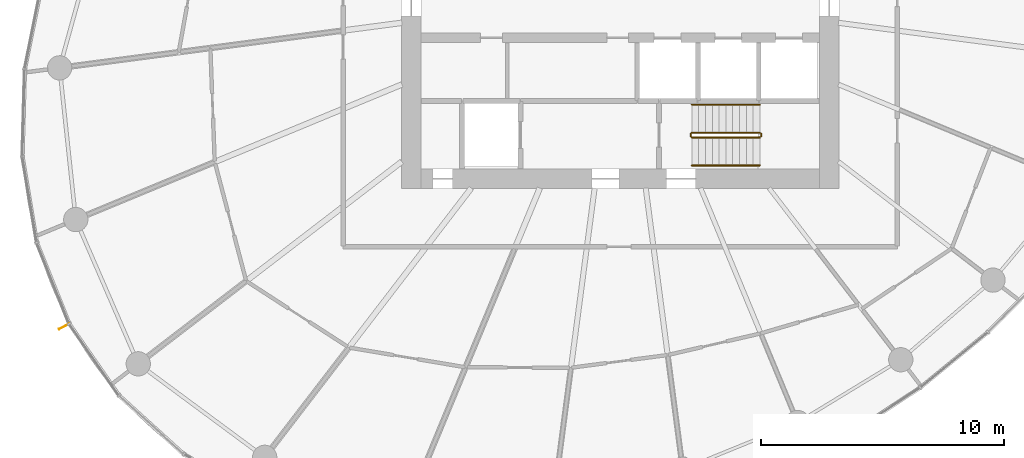
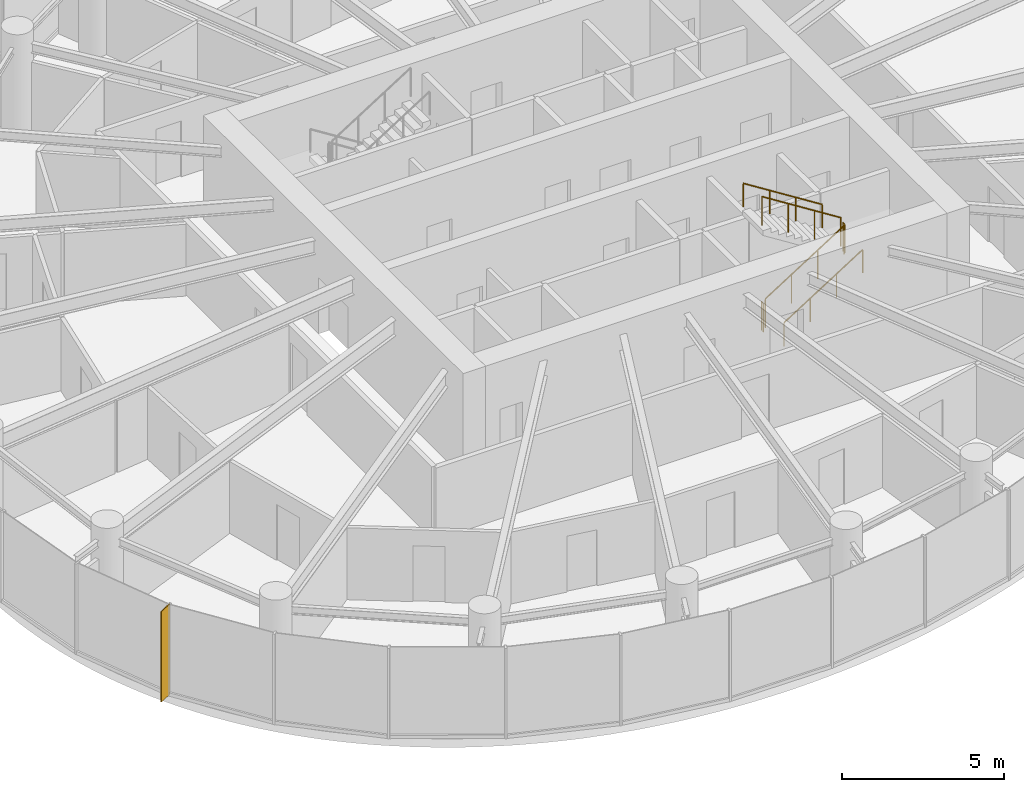
# One storey, part 13 of 15: 6 railings, 1 shading device.
"""IFC4 building model written with IfcOpenShell, lengths in metres."""

from ifc_helpers import new_model, si_unit, direction, frame, origin, origin_2d, place, context, subcontext, project, spatial, rectangle, circle, extrude, source, transform, mapped, material, material_profile, profile_set, type_object, element, save


model = new_model("IFC4")

# Units and contexts
model_context = context("Model", 3, precision=1e-05, world=origin(), true_north=direction((0.0, 1.0)))
body_context = subcontext(model_context, "Body", "Model", "MODEL_VIEW")
ifc_project = project(units=[si_unit("LENGTHUNIT", "METRE"), si_unit("AREAUNIT", "SQUARE_METRE"), si_unit("VOLUMEUNIT", "CUBIC_METRE"), si_unit("PLANEANGLEUNIT", "RADIAN"), si_unit("MASSUNIT", "GRAM", prefix="KILO")], contexts=[model_context])

# Site, building, storey
site_placement = place(None, origin())
site = spatial("IfcSite", under=ifc_project, at=site_placement, CompositionType="ELEMENT")
building_placement = place(site_placement, origin())
building = spatial("IfcBuilding", under=site, at=building_placement, Name="Spindrift Exchange Tower", CompositionType="ELEMENT")
storey_placement = place(building_placement, frame((0.0, 0.0, 176.0)))
storey = spatial("IfcBuildingStorey", under=building, at=storey_placement, Name="L42", CompositionType="ELEMENT", Elevation=176.0)

# Railings
ifc_material_1 = material(Name="Steel balustrade", Category="steel")
railing_type_1 = type_object("IfcRailingType", Name="RL-STAIR-GUARD", PredefinedType="GUARDRAIL", material=ifc_material_1)
railing_1_placement = place(storey_placement, frame((54.949951171875, 42.10009765625, 0.17724609375)))
element("IfcRailing", 1, at=railing_1_placement, inside=storey, type_object=railing_type_1, Name="L42 ST2 stair guard 1", PredefinedType="GUARDRAIL", context=body_context, shape_type="SweptSolid", body=[
    extrude(circle(Radius=0.02392578125, at=origin_2d()), frame((0.0, 0.0, 1.076171875), z_axis=(0.844908973607, 0.0, 0.534910110503), x_axis=(0.0, 1.0, 0.0)), (0.0, 0.0, 1.0), 3.31396484375),
    extrude(circle(Radius=0.02099609375, at=origin_2d()), origin(), (0.0, 0.0, 1.0), 1.052001953125),
    extrude(circle(Radius=0.02099609375, at=origin_2d()), frame((0.933349609375, 0.0, 0.5908203125)), (0.0, 0.0, 1.0), 1.052001953125),
    extrude(circle(Radius=0.02099609375, at=origin_2d()), frame((1.86669921875, 0.0, 1.181884765625)), (0.0, 0.0, 1.0), 1.052001953125),
    extrude(circle(Radius=0.02099609375, at=origin_2d()), frame((2.800048828125, 0.0, 1.772705078125)), (0.0, 0.0, 1.0), 1.052001953125),
])
railing_2_placement = place(storey_placement, frame((57.800048828125, 42.14990234375, 1.949951171875)))
element("IfcRailing", 2, at=railing_2_placement, inside=storey, type_object=railing_type_1, Name="L42 ST2 stair guard 2", PredefinedType="GUARDRAIL", context=body_context, shape_type="SweptSolid", body=[
    extrude(circle(Radius=0.02392578125, at=origin_2d()), frame((0.0, 0.0, 1.076171875), z_axis=(0.0, 1.0, 0.0), x_axis=(-1.0, 0.0, 0.0)), (0.0, 0.0, 1.0), 0.10009765625),
    extrude(circle(Radius=0.02099609375, at=origin_2d()), origin(), (0.0, 0.0, 1.0), 1.052001953125),
    extrude(circle(Radius=0.02099609375, at=origin_2d()), frame((0.0, 0.10009765625, 0.0)), (0.0, 0.0, 1.0), 1.052001953125),
])
railing_3_placement = place(storey_placement, frame((57.75, 42.300048828125, 2.127197265625)))
element("IfcRailing", 3, at=railing_3_placement, inside=storey, type_object=railing_type_1, Name="L42 ST2 stair guard 3", PredefinedType="GUARDRAIL", context=body_context, shape_type="SweptSolid", body=[
    extrude(circle(Radius=0.02392578125, at=origin_2d()), frame((0.0, 0.0, 1.076171875), z_axis=(-0.844908973607, 0.0, 0.534910110503), x_axis=(0.0, -1.0, 0.0)), (0.0, 0.0, 1.0), 3.31396484375),
    extrude(circle(Radius=0.02099609375, at=origin_2d()), origin(), (0.0, 0.0, 1.0), 1.052001953125),
    extrude(circle(Radius=0.02099609375, at=origin_2d()), frame((-0.933349609375, 0.0, 0.5908203125)), (0.0, 0.0, 1.0), 1.052001953125),
    extrude(circle(Radius=0.02099609375, at=origin_2d()), frame((-1.86669921875, 0.0, 1.181884765625)), (0.0, 0.0, 1.0), 1.052001953125),
    extrude(circle(Radius=0.02099609375, at=origin_2d()), frame((-2.800048828125, 0.0, 1.772705078125)), (0.0, 0.0, 1.0), 1.052001953125),
])
railing_4_placement = place(storey_placement, frame((54.89990234375, 42.14990234375, 0.0)))
element("IfcRailing", 4, at=railing_4_placement, inside=storey, type_object=railing_type_1, Name="L42 ST2 stair guard 4", PredefinedType="GUARDRAIL", context=body_context, shape_type="SweptSolid", body=[
    extrude(circle(Radius=0.02392578125, at=origin_2d()), frame((0.0, 0.0, 1.076171875), z_axis=(0.0, 1.0, 0.0), x_axis=(-1.0, 0.0, 0.0)), (0.0, 0.0, 1.0), 0.10009765625),
    extrude(circle(Radius=0.02099609375, at=origin_2d()), origin(), (0.0, 0.0, 1.0), 1.052001953125),
    extrude(circle(Radius=0.02099609375, at=origin_2d()), frame((0.0, 0.10009765625, 0.0)), (0.0, 0.0, 1.0), 1.052001953125),
])
ifc_material_2 = material(Name="Steel tubular handrail", Category="steel")
railing_type_2 = type_object("IfcRailingType", Name="RL-STAIR-HAND", PredefinedType="HANDRAIL", material=ifc_material_2)
railing_5_placement = place(storey_placement, frame((54.949951171875, 40.949951171875, 0.17724609375)))
element("IfcRailing", 5, at=railing_5_placement, inside=storey, type_object=railing_type_2, Name="L42 ST2 stair handrail 1", PredefinedType="HANDRAIL", context=body_context, shape_type="SweptSolid", body=[
    extrude(circle(Radius=0.02392578125, at=origin_2d()), frame((0.0, 0.0, 0.8759765625), z_axis=(0.844908973607, 0.0, 0.534910110503), x_axis=(0.0, 1.0, 0.0)), (0.0, 0.0, 1.0), 3.31396484375),
    extrude(circle(Radius=0.02099609375, at=origin_2d()), origin(), (0.0, 0.0, 1.0), 0.851806640625),
    extrude(circle(Radius=0.02099609375, at=origin_2d()), frame((0.933349609375, 0.0, 0.5908203125)), (0.0, 0.0, 1.0), 0.851806640625),
    extrude(circle(Radius=0.02099609375, at=origin_2d()), frame((1.86669921875, 0.0, 1.181884765625)), (0.0, 0.0, 1.0), 0.851806640625),
    extrude(circle(Radius=0.02099609375, at=origin_2d()), frame((2.800048828125, 0.0, 1.772705078125)), (0.0, 0.0, 1.0), 0.851806640625),
])
railing_6_placement = place(storey_placement, frame((57.75, 43.449951171875, 2.127197265625)))
element("IfcRailing", 6, at=railing_6_placement, inside=storey, type_object=railing_type_2, Name="L42 ST2 stair handrail 2", PredefinedType="HANDRAIL", context=body_context, shape_type="SweptSolid", body=[
    extrude(circle(Radius=0.02392578125, at=origin_2d()), frame((0.0, 0.0, 0.8759765625), z_axis=(-0.844908973607, 0.0, 0.534910110503), x_axis=(0.0, -1.0, 0.0)), (0.0, 0.0, 1.0), 3.31396484375),
    extrude(circle(Radius=0.02099609375, at=origin_2d()), origin(), (0.0, 0.0, 1.0), 0.851806640625),
    extrude(circle(Radius=0.02099609375, at=origin_2d()), frame((-0.933349609375, 0.0, 0.5908203125)), (0.0, 0.0, 1.0), 0.851806640625),
    extrude(circle(Radius=0.02099609375, at=origin_2d()), frame((-1.86669921875, 0.0, 1.181884765625)), (0.0, 0.0, 1.0), 0.851806640625),
    extrude(circle(Radius=0.02099609375, at=origin_2d()), frame((-2.800048828125, 0.0, 1.772705078125)), (0.0, 0.0, 1.0), 0.851806640625),
])

# Shading device
ifc_material_3 = material(Name="Bronze anodised aluminium", Category="aluminium")
ifc_material_profile = material_profile(ifc_material_3, rectangle(XDim=0.030029296875, YDim=0.5, at=origin_2d()), Name="WIND FIN 30X500")
ifc_profile_set = profile_set([ifc_material_profile], Name="Bronze anodised aluminium")
shading_device_type = type_object("IfcShadingDeviceType", Name="WIND FIN 30X500", PredefinedType="USERDEFINED", material=ifc_profile_set)
shared_shape = source(origin(), body_context, "Body", "SweptSolid", [
    extrude(rectangle(XDim=0.030029296875, YDim=0.5, at=origin_2d()), origin(), (0.0, 0.0, 1.0), 3.39990234375),
])
shading_device_placement = place(storey_placement, frame((29.13525390625, 34.330810546875, 0.0), z_axis=(0.0, 0.0, 1.0), x_axis=(0.473923771433, -0.880565874237, 0.0)))
element("IfcShadingDevice", 7, at=shading_device_placement, inside=storey, type_object=shading_device_type, Name="L42 wind fin 1", ObjectType="FIN", PredefinedType="USERDEFINED", context=body_context, shape_type="MappedRepresentation", body=[
    mapped(shared_shape, transform((0.0, 0.0, 0.0), scale=1.0)),
])

save(model, "model.ifc")
